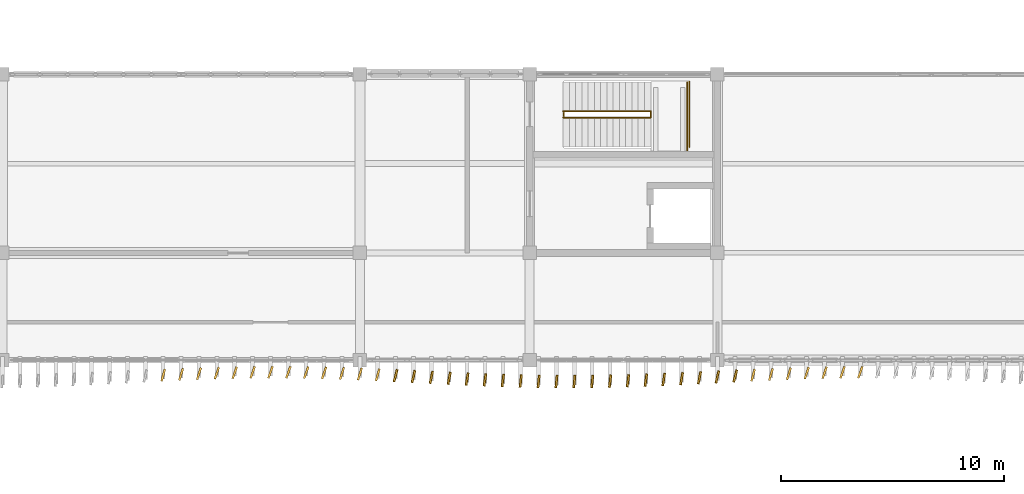
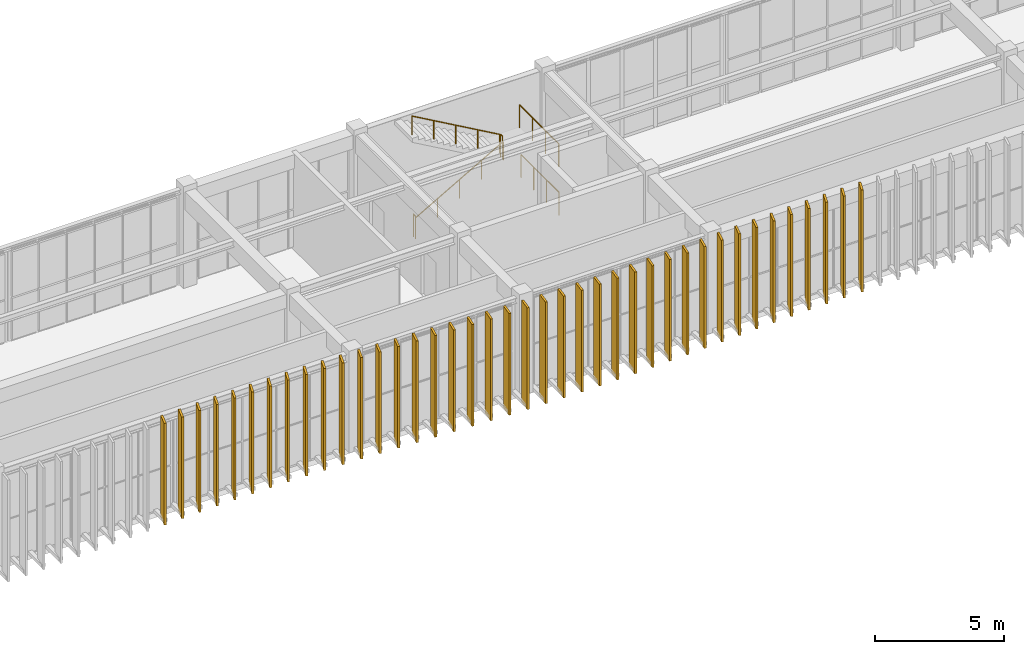
# One storey, part 58 of 64: 40 coverings, 6 railings.
"""IFC4 building model written with IfcOpenShell, lengths in metres."""

from ifc_helpers import new_model, si_unit, direction, frame, origin, origin_2d, place, context, subcontext, project, spatial, rectangle, circle, extrude, material, layer, layer_set, type_object, element, save


model = new_model("IFC4")

# Units and contexts
model_context = context("Model", 3, precision=1e-05, world=origin(), true_north=direction((0.0, 1.0)))
body_context = subcontext(model_context, "Body", "Model", "MODEL_VIEW")
ifc_project = project(units=[si_unit("LENGTHUNIT", "METRE"), si_unit("AREAUNIT", "SQUARE_METRE"), si_unit("VOLUMEUNIT", "CUBIC_METRE"), si_unit("PLANEANGLEUNIT", "RADIAN"), si_unit("MASSUNIT", "GRAM", prefix="KILO")], contexts=[model_context])

# Site, building, storey
site_placement = place(None, origin())
site = spatial("IfcSite", under=ifc_project, at=site_placement, CompositionType="ELEMENT")
building_placement = place(site_placement, origin())
building = spatial("IfcBuilding", under=site, at=building_placement, Name="Cinchona Park Media Centre", CompositionType="ELEMENT")
storey_placement = place(building_placement, frame((0.0, 0.0, 5.39990234375)))
storey = spatial("IfcBuildingStorey", under=building, at=storey_placement, Name="L01", CompositionType="ELEMENT", Elevation=5.39990234375)

# Coverings
ifc_material_1 = material(Name="Anodised Storm-Resistant Aluminium Fin", Category="aluminium")
ifc_layer = layer(ifc_material_1, 0.090087890625)
ifc_layer_set = layer_set([ifc_layer], Name="Anodised Storm-Resistant Aluminium Fin")
covering_type = type_object("IfcCoveringType", Name="CLADDING-FIN01", PredefinedType="CLADDING", material=ifc_layer_set)
for number, where, z_axis, x_axis, name in (
    (1, (70.0, 74.1279296875, 0.0), (0.0, 0.0, 1.0), (0.268919820615, 0.963162566798, 0.0), "Twisting Vertical Facade Fin L01"),
    (2, (70.800048828125, 74.1640625, 0.0), (0.0, 0.0, 1.0), (0.288697611798, 0.957420330337, 0.0), "Twisting Vertical Facade Fin L01"),
    (3, (71.60009765625, 74.195068359375, 0.0), (0.0, 0.0, 1.0), (0.306193796821, 0.951969200546, 0.0), "Twisting Vertical Facade Fin L01"),
    (4, (72.39990234375, 74.220947265625, 0.0), (0.0, 0.0, 1.0), (0.320612990586, 0.947210277746, 0.0), "Twisting Vertical Facade Fin L01"),
    (5, (73.199951171875, 74.240966796875, 0.0), (0.0, 0.0, 1.0), (0.331667216146, 0.943396447807, 0.0), "Twisting Vertical Facade Fin L01"),
    (6, (74.0, 74.25390625, 0.0), (0.0, 0.0, 1.0), (0.338737920245, 0.940880768954, 0.0), "Twisting Vertical Facade Fin L01"),
    (7, (74.800048828125, 74.260009765625, 0.0), (0.0, 0.0, 1.0), (0.341856130815, 0.939752300249, 0.0), "Twisting Vertical Facade Fin L01"),
    (8, (75.60009765625, 74.258056640625, 0.0), (0.0, 0.0, 1.0), (0.340871837244, 0.94010977581, 0.0), "Twisting Vertical Facade Fin L01"),
    (9, (76.39990234375, 74.248046875, 0.0), (0.0, 0.0, 1.0), (0.335780389393, 0.941940300709, 0.0), "Twisting Vertical Facade Fin L01"),
    (10, (77.199951171875, 74.23193359375, 0.0), (0.0, 0.0, 1.0), (0.3265581205, 0.945177123049, 0.0), "Twisting Vertical Facade Fin L01"),
    (11, (78.0, 74.208984375, 0.0), (0.0, 0.0, 1.0), (0.31382674518, 0.949480265203, 0.0), "Twisting Vertical Facade Fin L01"),
    (12, (78.800048828125, 74.179931640625, 0.0), (0.0, 0.0, 1.0), (0.297874744877, 0.954604963513, 0.0), "Twisting Vertical Facade Fin L01"),
    (13, (79.60009765625, 74.14599609375, 0.0), (0.0, 0.0, 1.0), (0.279158704655, 0.960244977917, 0.0), "Twisting Vertical Facade Fin L01"),
    (14, (80.39990234375, 74.10888671875, 0.0), (0.0, 0.0, 1.0), (0.258313252067, 0.966061211211, 0.0), "Twisting Vertical Facade Fin L01"),
    (15, (81.199951171875, 74.070068359375, 0.0), (0.0, 0.0, 1.0), (0.236329411694, 0.971672994977, 0.0), "Twisting Vertical Facade Fin L01"),
    (16, (82.0, 74.030029296875, 0.0), (0.0, 0.0, 1.0), (0.213541936916, 0.97693389806, 0.0), "Twisting Vertical Facade Fin L01"),
    (17, (82.800048828125, 73.990966796875, 0.0), (0.0, 0.0, 1.0), (0.191322947989, 0.981527141537, 0.0), "Twisting Vertical Facade Fin L01"),
    (18, (83.60009765625, 73.9541015625, 0.0), (0.0, 0.0, 1.0), (0.170037510451, 0.985437590637, 0.0), "Twisting Vertical Facade Fin L01"),
    (19, (84.39990234375, 73.919921875, 0.0), (0.0, 0.0, 1.0), (0.150743225348, 0.988572951285, 0.0), "Twisting Vertical Facade Fin L01"),
    (20, (85.199951171875, 73.89111328125, 0.0), (0.0, 0.0, 1.0), (0.134159142573, 0.990959799621, 0.0), "Twisting Vertical Facade Fin L01"),
    (21, (86.0, 73.867919921875, 0.0), (0.0, 0.0, 1.0), (0.120829884873, 0.992673228672, 0.0), "Twisting Vertical Facade Fin L01"),
    (22, (86.800048828125, 73.85205078125, 0.0), (0.0, 0.0, 1.0), (0.111122034978, 0.993806768614, 0.0), "Twisting Vertical Facade Fin L01"),
    (23, (87.60009765625, 73.842041015625, 0.0), (0.0, 0.0, 1.0), (0.105743422663, 0.994393447567, 0.0), "Twisting Vertical Facade Fin L01"),
    (24, (88.39990234375, 73.840087890625, 0.0), (0.0, 0.0, 1.0), (0.10470203849, 0.994503636562, 0.0), "Twisting Vertical Facade Fin L01"),
    (25, (89.199951171875, 73.845947265625, 0.0), (0.0, 0.0, 1.0), (0.107999355706, 0.994150963972, 0.0), "Twisting Vertical Facade Fin L01"),
    (26, (90.0, 73.85888671875, 0.0), (0.0, 0.0, 1.0), (0.115457263478, 0.993312448482, 0.0), "Twisting Vertical Facade Fin L01"),
    (27, (90.800048828125, 73.87890625, 0.0), (0.0, 0.0, 1.0), (0.127064608601, 0.99189444259, 0.0), "Twisting Vertical Facade Fin L01"),
    (28, (91.60009765625, 73.905029296875, 0.0), (0.0, 0.0, 1.0), (0.142110668555, 0.989850775563, 0.0), "Twisting Vertical Facade Fin L01"),
    (29, (92.39990234375, 73.93603515625, 0.0), (0.0, 0.0, 1.0), (0.160225753504, 0.987080395872, 0.0), "Twisting Vertical Facade Fin L01"),
    (30, (93.199951171875, 73.971923828125, 0.0), (0.0, 0.0, 1.0), (0.180519145251, 0.983571470813, 0.0), "Twisting Vertical Facade Fin L01"),
    (31, (94.0, 74.010009765625, 0.0), (0.0, 0.0, 1.0), (0.202445469766, 0.979293537082, 0.0), "Twisting Vertical Facade Fin L01"),
    (32, (94.800048828125, 74.050048828125, 0.0), (0.0, 0.0, 1.0), (0.224951054344, 0.974370064785, 0.0), "Twisting Vertical Facade Fin L01"),
    (33, (95.60009765625, 74.090087890625, 0.0), (0.0, 0.0, 1.0), (0.247337247968, 0.968929453452, 0.0), "Twisting Vertical Facade Fin L01"),
    (34, (96.39990234375, 74.1279296875, 0.0), (0.0, 0.0, 1.0), (0.268919820615, 0.963162566798, 0.0), "Twisting Vertical Facade Fin L01"),
    (35, (97.199951171875, 74.1640625, 0.0), (0.0, 0.0, 1.0), (0.288697611798, 0.957420330337, 0.0), "Twisting Vertical Facade Fin L01"),
    (36, (98.0, 74.195068359375, 0.0), (0.0, 0.0, 1.0), (0.306193796821, 0.951969200546, 0.0), "Twisting Vertical Facade Fin L01"),
    (37, (98.800048828125, 74.220947265625, 0.0), (0.0, 0.0, 1.0), (0.320612990586, 0.947210277746, 0.0), "Twisting Vertical Facade Fin L01"),
    (38, (99.60009765625, 74.240966796875, 0.0), (0.0, 0.0, 1.0), (0.331667216146, 0.943396447807, 0.0), "Twisting Vertical Facade Fin L01"),
    (39, (100.39990234375, 74.25390625, 0.0), (0.0, 0.0, 1.0), (0.338737920245, 0.940880768954, 0.0), "Twisting Vertical Facade Fin L01"),
    (40, (101.199951171875, 74.260009765625, 0.0), (0.0, 0.0, 1.0), (0.341856130815, 0.939752300249, 0.0), "Twisting Vertical Facade Fin L01"),
):
    element("IfcCovering", number, at=place(storey_placement, frame(where, z_axis=z_axis, x_axis=x_axis)), inside=storey, type_object=covering_type, Name=name, PredefinedType="CLADDING", context=body_context, shape_type="SweptSolid", body=[
        extrude(rectangle(XDim=0.56005859375, YDim=0.090087890625, at=origin_2d()), origin(), (0.0, 0.0, 1.0), 4.800048828125),
    ])

# Railings
ifc_material_2 = material(Name="Painted Steel Stairwell Guardrail", Category="steel")
railing_type_1 = type_object("IfcRailingType", Name="RAILING-GR02", PredefinedType="GUARDRAIL", material=ifc_material_2)
railing_1_placement = place(storey_placement, frame((87.93505859375, 85.719970703125, 0.0)))
element("IfcRailing", 41, at=railing_1_placement, inside=storey, type_object=railing_type_1, Name="Stairwell Guardrail GR02 ST5 L01", PredefinedType="GUARDRAIL", context=body_context, shape_type="SweptSolid", body=[
    extrude(circle(Radius=0.02392578125, at=origin_2d()), frame((0.0, 0.0, 1.076171875), z_axis=(0.0, 1.0, 0.0), x_axis=(-1.0, 0.0, 0.0)), (0.0, 0.0, 1.0), 0.159912109375),
    extrude(circle(Radius=0.02099609375, at=origin_2d()), origin(), (0.0, 0.0, 1.0), 1.052001953125),
    extrude(circle(Radius=0.02099609375, at=origin_2d()), frame((0.0, 0.159912109375, 0.0)), (0.0, 0.0, 1.0), 1.052001953125),
])
railing_2_placement = place(storey_placement, frame((93.5400390625, 84.340087890625, 0.0)))
element("IfcRailing", 42, at=railing_2_placement, inside=storey, type_object=railing_type_1, Name="Stairwell East Guardrail GR02 ST5 L01", PredefinedType="GUARDRAIL", context=body_context, shape_type="SweptSolid", body=[
    extrude(circle(Radius=0.02392578125, at=origin_2d()), frame((0.0, 0.0, 1.076171875), z_axis=(0.0, 1.0, 0.0), x_axis=(-1.0, 0.0, 0.0)), (0.0, 0.0, 1.0), 2.919921875),
    extrude(circle(Radius=0.02099609375, at=origin_2d()), origin(), (0.0, 0.0, 1.0), 1.052001953125),
    extrude(circle(Radius=0.02099609375, at=origin_2d()), frame((0.0, 0.973388671875, 0.0)), (0.0, 0.0, 1.0), 1.052001953125),
    extrude(circle(Radius=0.02099609375, at=origin_2d()), frame((0.0, 1.946533203125, 0.0)), (0.0, 0.0, 1.0), 1.052001953125),
    extrude(circle(Radius=0.02099609375, at=origin_2d()), frame((0.0, 2.919921875, 0.0)), (0.0, 0.0, 1.0), 1.052001953125),
])
railing_3_placement = place(storey_placement, frame((91.820068359375, 85.719970703125, 2.400146484375)))
element("IfcRailing", 43, at=railing_3_placement, inside=storey, type_object=railing_type_1, Name="Half-Landing Guardrail GR02 ST5 L01", PredefinedType="GUARDRAIL", context=body_context, shape_type="SweptSolid", body=[
    extrude(circle(Radius=0.02392578125, at=origin_2d()), frame((0.0, 0.0, 1.076171875), z_axis=(0.0, 1.0, 0.0), x_axis=(-1.0, 0.0, 0.0)), (0.0, 0.0, 1.0), 0.159912109375),
    extrude(circle(Radius=0.02099609375, at=origin_2d()), origin(), (0.0, 0.0, 1.0), 1.052001953125),
    extrude(circle(Radius=0.02099609375, at=origin_2d()), frame((0.0, 0.159912109375, 0.0)), (0.0, 0.0, 1.0), 1.052001953125),
])
railing_4_placement = place(storey_placement, frame((93.449951171875, 84.195068359375, 2.400146484375)))
element("IfcRailing", 44, at=railing_4_placement, inside=storey, type_object=railing_type_1, Name="Half-Landing Back Guardrail GR02 ST5 L01", PredefinedType="GUARDRAIL", context=body_context, shape_type="SweptSolid", body=[
    extrude(circle(Radius=0.02392578125, at=origin_2d()), frame((0.0, 0.0, 1.076171875), z_axis=(0.0, 1.0, 0.0), x_axis=(-1.0, 0.0, 0.0)), (0.0, 0.0, 1.0), 3.044921875),
    extrude(circle(Radius=0.02099609375, at=origin_2d()), origin(), (0.0, 0.0, 1.0), 1.052001953125),
    extrude(circle(Radius=0.02099609375, at=origin_2d()), frame((0.0, 1.014892578125, 0.0)), (0.0, 0.0, 1.0), 1.052001953125),
    extrude(circle(Radius=0.02099609375, at=origin_2d()), frame((0.0, 2.030029296875, 0.0)), (0.0, 0.0, 1.0), 1.052001953125),
    extrude(circle(Radius=0.02099609375, at=origin_2d()), frame((0.0, 3.044921875, 0.0)), (0.0, 0.0, 1.0), 1.052001953125),
])
ifc_material_3 = material(Name="Brushed Stainless Steel Handrail", Category="steel")
railing_type_2 = type_object("IfcRailingType", Name="RAILING-HR01", PredefinedType="HANDRAIL", material=ifc_material_3)
railing_5_placement = place(storey_placement, frame((87.89990234375, 85.659912109375, 0.16015625)))
element("IfcRailing", 45, at=railing_5_placement, inside=storey, type_object=railing_type_2, Name="Stair Handrail HR01 ST5 L01 F1", PredefinedType="HANDRAIL", context=body_context, shape_type="SweptSolid", body=[
    extrude(circle(Radius=0.02392578125, at=origin_2d()), frame((0.0, 0.0, 0.8759765625), z_axis=(0.86825312469, 0.0, 0.496121468458), x_axis=(0.0, 1.0, 0.0)), (0.0, 0.0, 1.0), 4.514892578125),
    extrude(circle(Radius=0.02099609375, at=origin_2d()), origin(), (0.0, 0.0, 1.0), 0.851806640625),
    extrude(circle(Radius=0.02099609375, at=origin_2d()), frame((0.97998046875, 0.0, 0.56005859375)), (0.0, 0.0, 1.0), 0.851806640625),
    extrude(circle(Radius=0.02099609375, at=origin_2d()), frame((1.9599609375, 0.0, 1.1201171875)), (0.0, 0.0, 1.0), 0.851806640625),
    extrude(circle(Radius=0.02099609375, at=origin_2d()), frame((2.940185546875, 0.0, 1.679931640625)), (0.0, 0.0, 1.0), 0.851806640625),
    extrude(circle(Radius=0.02099609375, at=origin_2d()), frame((3.920166015625, 0.0, 2.239990234375)), (0.0, 0.0, 1.0), 0.851806640625),
])
railing_6_placement = place(storey_placement, frame((91.820068359375, 85.93994140625, 2.56005859375)))
element("IfcRailing", 46, at=railing_6_placement, inside=storey, type_object=railing_type_2, Name="Stair Handrail HR01 ST5 L01 F2", PredefinedType="HANDRAIL", context=body_context, shape_type="SweptSolid", body=[
    extrude(circle(Radius=0.02392578125, at=origin_2d()), frame((0.0, 0.0, 0.8759765625), z_axis=(-0.86825312469, 0.0, 0.496121468458), x_axis=(0.0, -1.0, 0.0)), (0.0, 0.0, 1.0), 4.514892578125),
    extrude(circle(Radius=0.02099609375, at=origin_2d()), origin(), (0.0, 0.0, 1.0), 0.851806640625),
    extrude(circle(Radius=0.02099609375, at=origin_2d()), frame((-0.97998046875, 0.0, 0.56005859375)), (0.0, 0.0, 1.0), 0.851806640625),
    extrude(circle(Radius=0.02099609375, at=origin_2d()), frame((-1.9599609375, 0.0, 1.1201171875)), (0.0, 0.0, 1.0), 0.851806640625),
    extrude(circle(Radius=0.02099609375, at=origin_2d()), frame((-2.940185546875, 0.0, 1.679931640625)), (0.0, 0.0, 1.0), 0.851806640625),
    extrude(circle(Radius=0.02099609375, at=origin_2d()), frame((-3.920166015625, 0.0, 2.239990234375)), (0.0, 0.0, 1.0), 0.851806640625),
])

save(model, "model.ifc")
